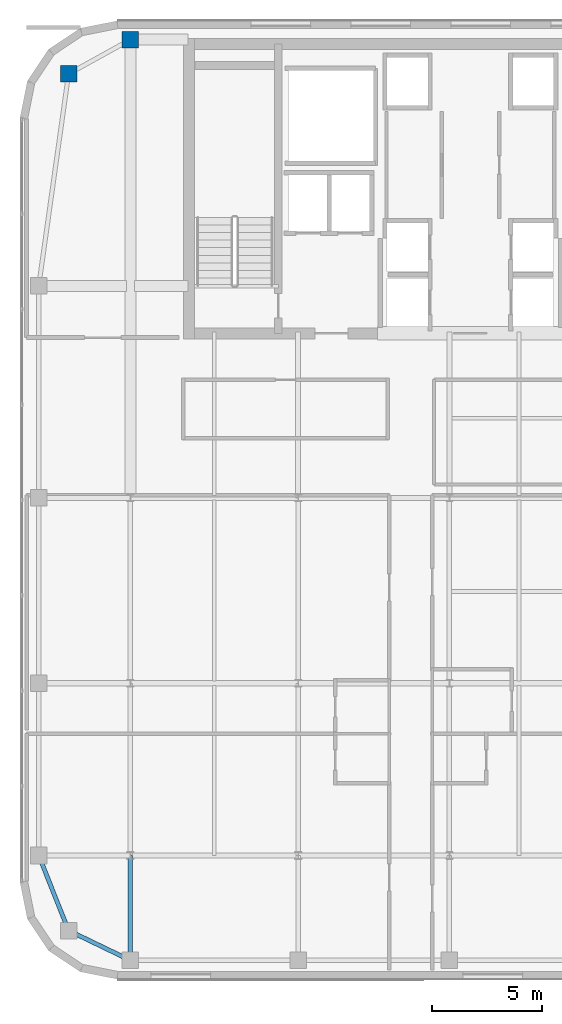
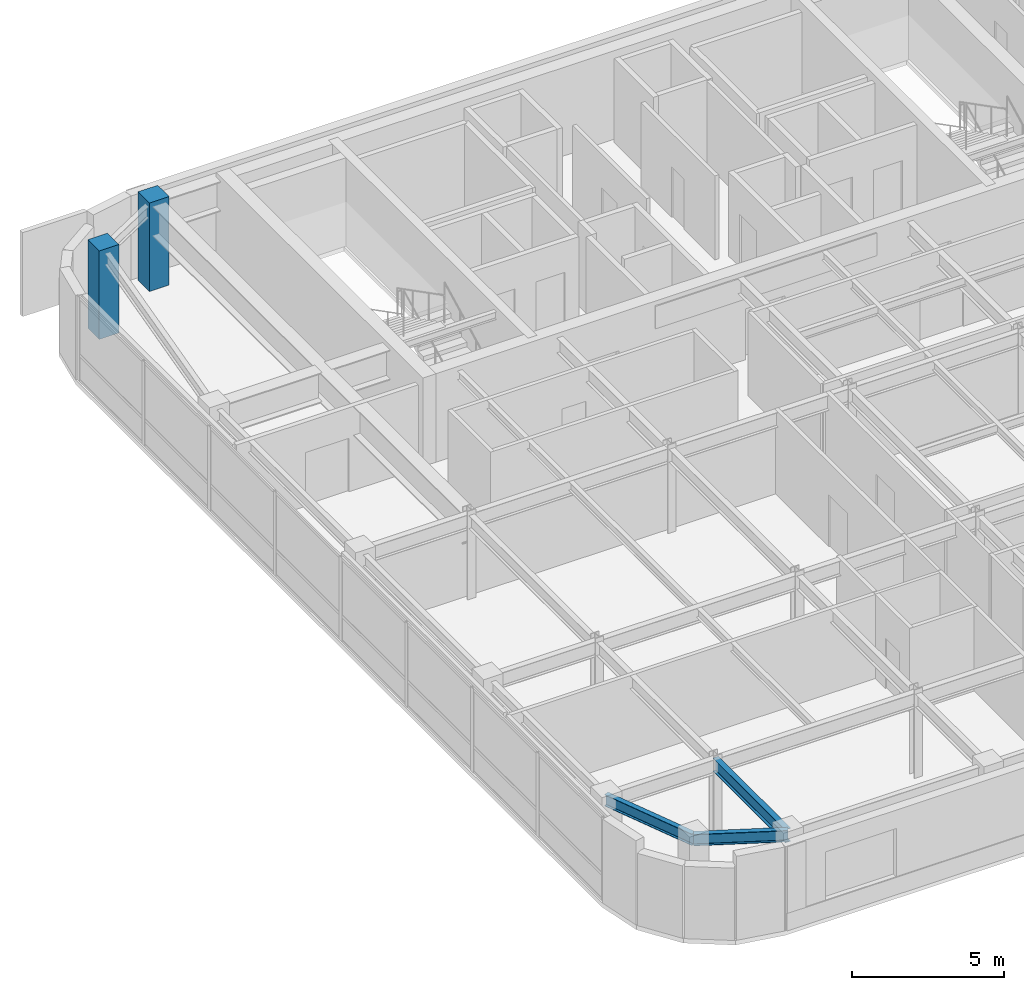
# One storey, part 2 of 21: 3 beams, 2 columns.
"""IFC4 building model written with IfcOpenShell, lengths in metres."""

from ifc_helpers import new_model, si_unit, direction, frame, origin, origin_2d, place, context, subcontext, project, spatial, rectangle, i_section, extrude, source, transform, mapped, material, material_profile, profile_set, type_object, type_shapes, element, save


model = new_model("IFC4")

# Units and contexts
model_context = context("Model", 3, precision=1e-05, world=origin(), true_north=direction((0.0, 1.0)))
body_context = subcontext(model_context, "Body", "Model", "MODEL_VIEW")
ifc_project = project(units=[si_unit("LENGTHUNIT", "METRE"), si_unit("AREAUNIT", "SQUARE_METRE"), si_unit("VOLUMEUNIT", "CUBIC_METRE"), si_unit("PLANEANGLEUNIT", "RADIAN"), si_unit("MASSUNIT", "GRAM", prefix="KILO")], contexts=[model_context])

# Site, building, storey
site_placement = place(None, origin())
site = spatial("IfcSite", under=ifc_project, at=site_placement, CompositionType="ELEMENT")
building_placement = place(site_placement, origin())
building = spatial("IfcBuilding", under=site, at=building_placement, Name="Tolvann Quenvar Hotel", CompositionType="ELEMENT")
storey_placement = place(building_placement, frame((0.0, 0.0, 227.449951171875)))
storey = spatial("IfcBuildingStorey", under=building, at=storey_placement, Name="L60", CompositionType="ELEMENT", Elevation=227.449951171875)

# Columns
ifc_material_1 = material(Name="Concrete N50 (50 MPa)", Category="concrete")
ifc_material_profile_1 = material_profile(ifc_material_1, rectangle(XDim=0.75, YDim=0.75, at=origin_2d()), Name="RC750x750")
ifc_profile_set_1 = profile_set([ifc_material_profile_1], Name="Concrete N50 (50 MPa)")
column_type = type_object("IfcColumnType", Name="COL_RC750", PredefinedType="COLUMN", material=ifc_profile_set_1)
shared_shape_1 = source(origin(), body_context, "Body", "SweptSolid", [
    extrude(rectangle(XDim=0.75, YDim=0.75, at=origin_2d()), origin(), (0.0, 0.0, 1.0), 3.550048828125),
])
type_shapes(column_type, [shared_shape_1])
for number, where, z_axis, x_axis, name in (
    (1, (4.800048828125, 43.60009765625, 0.0), (0.0, 0.0, 1.0), (1.0, 0.0, 0.0), "Column BN (L60)"),
    (2, (7.60009765625, 45.14990234375, 0.0), (0.0, 0.0, 1.0), (1.0, 0.0, 0.0), "Column CN (L60)"),
):
    element("IfcColumn", number, at=place(storey_placement, frame(where, z_axis=z_axis, x_axis=x_axis)), inside=storey, type_object=column_type, Name=name, PredefinedType="COLUMN", context=body_context, shape_type="MappedRepresentation", body=[
        mapped(shared_shape_1, transform((0.0, 0.0, 0.0), x_axis=(1.0, 0.0, 0.0), y_axis=(0.0, 1.0, 0.0), z_axis=(0.0, 0.0, 1.0), scale=1.0)),
    ])

# Beams
ifc_material_2 = material(Name="Steel Grade 350", Category="steel")
ifc_material_profile_2 = material_profile(ifc_material_2, i_section(OverallWidth=0.208984375, OverallDepth=0.532958984375, WebThickness=0.01025390625, FlangeThickness=0.015625, FilletRadius=0.013916015625, at=origin_2d()), Name="530UB92")
ifc_profile_set_2 = profile_set([ifc_material_profile_2], Name="Steel Grade 350")
beam_type_1 = type_object("IfcBeamType", Name="BM_GIRD_530UB92", PredefinedType="BEAM", material=ifc_profile_set_2)
shared_shape_2 = source(origin(), body_context, "Body", "SweptSolid", [
    extrude(i_section(OverallWidth=0.208984375, OverallDepth=0.532958984375, WebThickness=0.01025390625, FlangeThickness=0.015625, FilletRadius=0.013916015625, at=origin_2d()), origin(), (0.0, 0.0, 1.0), 4.75),
])
type_shapes(beam_type_1, [shared_shape_2])
beam_1_placement = place(storey_placement, frame((7.60009765625, 3.449951171875, 3.103515625), z_axis=(0.0, 1.0, 0.0), x_axis=(-1.0, 0.0, 0.0)))
element("IfcBeam", 3, at=beam_1_placement, inside=storey, type_object=beam_type_1, Name="BM-L60-NS-C2-C3", PredefinedType="BEAM", context=body_context, shape_type="MappedRepresentation", body=[
    mapped(shared_shape_2, transform((0.0, 0.0, 0.0), x_axis=(1.0, 0.0, 0.0), y_axis=(0.0, 1.0, 0.0), z_axis=(0.0, 0.0, 1.0), scale=1.0)),
])
ifc_material_profile_3 = material_profile(ifc_material_2, i_section(OverallWidth=0.19091796875, OverallDepth=0.4599609375, WebThickness=0.010009765625, FlangeThickness=0.01611328125, FilletRadius=0.011474609375, at=origin_2d()), Name="460UB82")
ifc_profile_set_3 = profile_set([ifc_material_profile_3], Name="Steel Grade 350")
beam_type_2 = type_object("IfcBeamType", Name="BM_SPAND_460UB82", PredefinedType="SPANDREL", material=ifc_profile_set_3)
shared_shape_3 = source(origin(), body_context, "Body", "SweptSolid", [
    extrude(i_section(OverallWidth=0.19091796875, OverallDepth=0.4599609375, WebThickness=0.010009765625, FlangeThickness=0.01611328125, FilletRadius=0.011474609375, at=origin_2d()), origin(), (0.0, 0.0, 1.0), 3.108642578125),
])
beam_2_placement = place(storey_placement, frame((4.800048828125, 4.800048828125, 3.14013671875), z_axis=(0.900759354066, -0.434318530646, 0.0), x_axis=(0.434318530646, 0.900759354066, 0.0)))
element("IfcBeam", 4, at=beam_2_placement, inside=storey, type_object=beam_type_2, Name="BM-L60-EW-2-B2-C2", PredefinedType="SPANDREL", context=body_context, shape_type="MappedRepresentation", body=[
    mapped(shared_shape_3, transform((0.0, 0.0, 0.0), x_axis=(1.0, 0.0, 0.0), y_axis=(0.0, 1.0, 0.0), z_axis=(0.0, 0.0, 1.0), scale=1.0)),
])
shared_shape_4 = source(origin(), body_context, "Body", "SweptSolid", [
    extrude(i_section(OverallWidth=0.19091796875, OverallDepth=0.4599609375, WebThickness=0.010009765625, FlangeThickness=0.01611328125, FilletRadius=0.011474609375, at=origin_2d()), origin(), (0.0, 0.0, 1.0), 3.658203125),
])
type_shapes(beam_type_2, [shared_shape_3, shared_shape_4])
beam_3_placement = place(storey_placement, frame((4.800048828125, 4.800048828125, 3.14013671875), z_axis=(-0.369065163807, 0.929403521009, 0.0), x_axis=(-0.929403521009, -0.369065163807, 0.0)))
element("IfcBeam", 5, at=beam_3_placement, inside=storey, type_object=beam_type_2, Name="BM-L60-NS-B2-B3", PredefinedType="SPANDREL", context=body_context, shape_type="MappedRepresentation", body=[
    mapped(shared_shape_4, transform((0.0, 0.0, 0.0), x_axis=(1.0, 0.0, 0.0), y_axis=(0.0, 1.0, 0.0), z_axis=(0.0, 0.0, 1.0), scale=1.0)),
])

save(model, "model.ifc")
